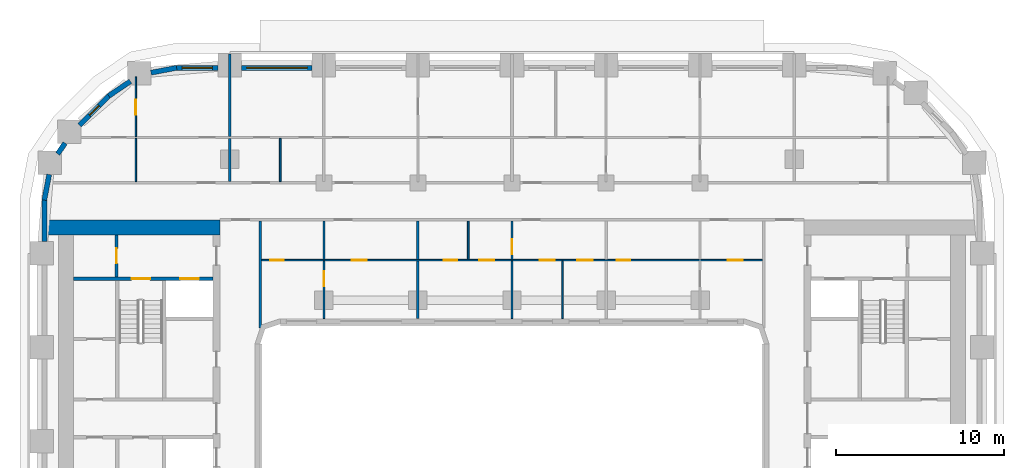
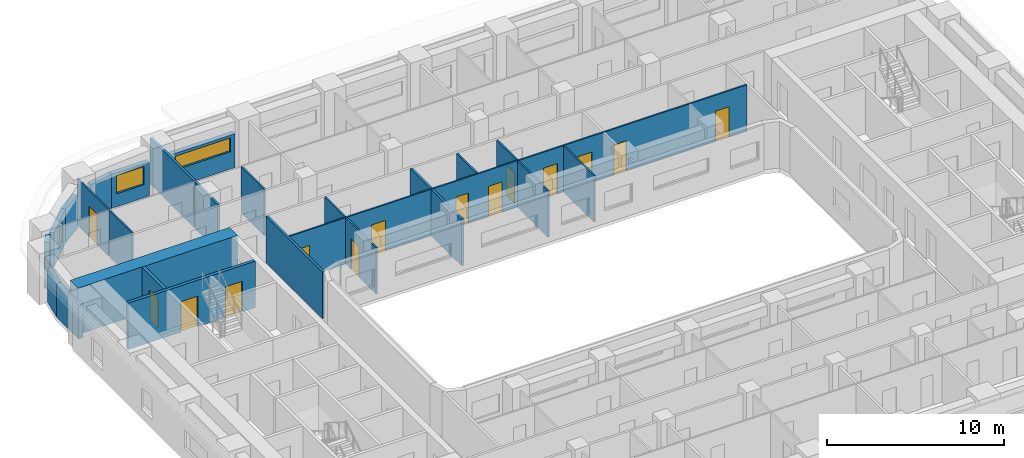
# One storey, part 7 of 22: 26 walls, 14 doors, 3 windows, 17 openings.
"""IFC4 building model written with IfcOpenShell, lengths in metres."""

from ifc_helpers import new_model, si_unit, direction, frame, frame_2d, origin, place, context, subcontext, project, spatial, rectangle, extrude, material, layer, layer_set, type_object, element, fill, save


model = new_model("IFC4")

# Units and contexts
model_context = context("Model", 3, precision=1e-05, world=origin(), true_north=direction((0.0, 1.0)))
body_context = subcontext(model_context, "Body", "Model", "MODEL_VIEW")
ifc_project = project(units=[si_unit("LENGTHUNIT", "METRE"), si_unit("AREAUNIT", "SQUARE_METRE"), si_unit("VOLUMEUNIT", "CUBIC_METRE"), si_unit("PLANEANGLEUNIT", "RADIAN"), si_unit("MASSUNIT", "GRAM", prefix="KILO")], contexts=[model_context])

# Site, building, storey
site_placement = place(None, origin())
site = spatial("IfcSite", under=ifc_project, at=site_placement, CompositionType="ELEMENT")
building_placement = place(site_placement, origin())
building = spatial("IfcBuilding", under=site, at=building_placement, Name="Kiln Ring Residences", CompositionType="ELEMENT")
storey_placement = place(building_placement, frame((0.0, 0.0, 58.5)))
storey = spatial("IfcBuildingStorey", under=building, at=storey_placement, Name="L14", CompositionType="ELEMENT", Elevation=58.5)

# Wall, opening, door
ifc_material_1 = material(Name="Gypsum board on steel studs", Category="steel")
ifc_layer_1 = layer(ifc_material_1, 0.199951171875)
ifc_layer_set_1 = layer_set([ifc_layer_1], Name="CORE-PARTITION-200")
wall_type_1 = type_object("IfcWallType", Name="CORE-PARTITION-200", PredefinedType="PARTITIONING", material=ifc_layer_set_1)
wall_1_placement = place(storey_placement, frame((-23.550048828125, 9.800048828125, 0.0), z_axis=(0.0, 0.0, 1.0), x_axis=(0.0, 1.0, 0.0)))
wall_1 = element("IfcWall", 1, at=wall_1_placement, inside=storey, type_object=wall_type_1, Name="Core partition west L14 3", PredefinedType="PARTITIONING", context=body_context, shape_type="SweptSolid", body=[
    extrude(rectangle(XDim=2.5, YDim=0.199951171875, at=frame_2d((1.25, 0.0))), origin(), (0.0, 0.0, 1.0), 3.199951171875),
])
opening_1_placement = place(wall_1_placement, frame((0.800048828125, 0.0, 0.0)))
opening_1 = element("IfcOpeningElement", 2, at=opening_1_placement, cuts=wall_1, Name="Opening L14-CW09", PredefinedType="OPENING", context=body_context, shape_type="SweptSolid", body=[
    extrude(rectangle(XDim=0.89990234375, YDim=2.10009765625, at=frame_2d((0.449951171875, 1.050048828125))), frame((0.0, 0.10986328125, 0.0), z_axis=(0.0, -1.0, 0.0), x_axis=(1.0, 0.0, 0.0)), (0.0, 0.0, 1.0), 0.219970703125),
])
ifc_material_2 = material(Name="Steel door leaf", Category="steel")
door_type_1 = type_object("IfcDoorType", Name="CORE-DOOR-ROOM", OperationType="SINGLE_SWING_LEFT", PredefinedType="DOOR", material=ifc_material_2)
door_1_placement = place(opening_1_placement, origin())
door_1 = element("IfcDoor", 3, at=door_1_placement, inside=storey, type_object=door_type_1, Name="Fire riser room L14-CW09", OperationType="SINGLE_SWING_LEFT", OverallHeight=2.10009765625, OverallWidth=0.89990234375, PredefinedType="DOOR", context=body_context, shape_type="SweptSolid", body=[
    extrude(rectangle(XDim=0.89990234375, YDim=2.10009765625, at=frame_2d((0.449951171875, 1.050048828125))), frame((0.0, 0.02490234375, 0.0), z_axis=(0.0, -1.0, 0.0), x_axis=(1.0, 0.0, 0.0)), (0.0, 0.0, 1.0), 0.050048828125),
])
fill(opening_1, door_1)

# Wall, openings, doors
ifc_material_3 = material(Name="Concrete C40/50", Category="concrete")
ifc_layer_2 = layer(ifc_material_3, 0.199951171875)
ifc_layer_set_2 = layer_set([ifc_layer_2], Name="CORE-WALL-RC200")
wall_type_2 = type_object("IfcWallType", Name="CORE-WALL-RC200", PredefinedType="SHEAR", material=ifc_layer_set_2)
wall_2_placement = place(storey_placement, frame((-17.800048828125, 9.699951171875, 0.0), z_axis=(0.0, 0.0, 1.0), x_axis=(-1.0, 0.0, 0.0)))
wall_2 = element("IfcWall", 4, at=wall_2_placement, inside=storey, type_object=wall_type_2, Name="Core wall west L14 9", PredefinedType="SHEAR", context=body_context, shape_type="SweptSolid", body=[
    extrude(rectangle(XDim=8.300048828125, YDim=0.199951171875, at=frame_2d((4.14990234375, 0.0))), origin(), (0.0, 0.0, 1.0), 3.199951171875),
])
opening_2_placement = place(wall_2_placement, frame((0.85009765625, 0.0, 0.0)))
opening_2 = element("IfcOpeningElement", 5, at=opening_2_placement, cuts=wall_2, Name="Opening L14-CW06", PredefinedType="OPENING", context=body_context, shape_type="SweptSolid", body=[
    extrude(rectangle(XDim=1.10009765625, YDim=2.10009765625, at=frame_2d((0.550048828125, 1.050048828125))), frame((0.0, 0.10986328125, 0.0), z_axis=(0.0, -1.0, 0.0), x_axis=(1.0, 0.0, 0.0)), (0.0, 0.0, 1.0), 0.219970703125),
])
opening_3_placement = place(wall_2_placement, frame((3.75, 0.0, 0.0)))
opening_3 = element("IfcOpeningElement", 6, at=opening_3_placement, cuts=wall_2, Name="Opening L14-CW11", PredefinedType="OPENING", context=body_context, shape_type="SweptSolid", body=[
    extrude(rectangle(XDim=1.10009765625, YDim=2.10009765625, at=frame_2d((0.550048828125, 1.050048828125))), frame((0.0, 0.10986328125, 0.0), z_axis=(0.0, -1.0, 0.0), x_axis=(1.0, 0.0, 0.0)), (0.0, 0.0, 1.0), 0.219970703125),
])
ifc_material_4 = material(Name="Steel door leaf", Category="steel")
door_type_2 = type_object("IfcDoorType", Name="CORE-DOOR-LD", OperationType="DOUBLE_DOOR_SLIDING", PredefinedType="DOOR", material=ifc_material_4)
door_2_placement = place(opening_2_placement, origin())
door_2 = element("IfcDoor", 7, at=door_2_placement, inside=storey, type_object=door_type_2, Name="LD W-FF L14-CW06", OperationType="DOUBLE_DOOR_SLIDING", OverallHeight=2.10009765625, OverallWidth=1.10009765625, PredefinedType="DOOR", context=body_context, shape_type="SweptSolid", body=[
    extrude(rectangle(XDim=1.10009765625, YDim=2.10009765625, at=frame_2d((0.550048828125, 1.050048828125))), frame((0.0, 0.02490234375, 0.0), z_axis=(0.0, -1.0, 0.0), x_axis=(1.0, 0.0, 0.0)), (0.0, 0.0, 1.0), 0.050048828125),
])
fill(opening_2, door_2)
ifc_material_5 = material(Name="Steel door leaf", Category="steel")
door_type_3 = type_object("IfcDoorType", Name="CORE-DOOR-STAIR", OperationType="SINGLE_SWING_LEFT", PredefinedType="DOOR", material=ifc_material_5)
door_3_placement = place(opening_3_placement, origin())
door_3 = element("IfcDoor", 8, at=door_3_placement, inside=storey, type_object=door_type_3, Name="Stair W-STN L14-CW11", OperationType="SINGLE_SWING_LEFT", OverallHeight=2.10009765625, OverallWidth=1.10009765625, PredefinedType="DOOR", context=body_context, shape_type="SweptSolid", body=[
    extrude(rectangle(XDim=1.10009765625, YDim=2.10009765625, at=frame_2d((0.550048828125, 1.050048828125))), frame((0.0, 0.02490234375, 0.0), z_axis=(0.0, -1.0, 0.0), x_axis=(1.0, 0.0, 0.0)), (0.0, 0.0, 1.0), 0.050048828125),
])
fill(opening_3, door_3)

# Wall
ifc_material_6 = material(Name="Concrete C60/75", Category="concrete")
ifc_layer_3 = layer(ifc_material_6, 0.89990234375)
ifc_layer_set_3 = layer_set([ifc_layer_3], Name="CORE-WALL-RC900")
wall_type_3 = type_object("IfcWallType", Name="CORE-WALL-RC900", PredefinedType="SHEAR", material=ifc_layer_set_3)
wall_3_placement = place(storey_placement, frame((-17.39990234375, 12.75, 0.0), z_axis=(0.0, 0.0, 1.0), x_axis=(-1.0, 0.0, 0.0)))
element("IfcWall", 9, at=wall_3_placement, inside=storey, type_object=wall_type_3, Name="Core wall west L14 4", PredefinedType="SHEAR", context=body_context, shape_type="SweptSolid", body=[
    extrude(rectangle(XDim=10.400146484375, YDim=0.89990234375, at=frame_2d((5.2001953125, 0.0))), origin(), (0.0, 0.0, 1.0), 3.199951171875),
])

# Wall, opening, window
ifc_material_7 = material(Name="Brick masonry, dark clay brick", Category="masonry")
ifc_layer_4 = layer(ifc_material_7, 0.300048828125)
ifc_layer_set_4 = layer_set([ifc_layer_4], Name="EW-300 BRICK WALL")
wall_type_4 = type_object("IfcWallType", Name="EW-300 BRICK WALL", PredefinedType="SOLIDWALL", material=ifc_layer_set_4)
wall_4_placement = place(storey_placement, frame((-11.89990234375, 22.25, 0.0), z_axis=(0.0, 0.0, 1.0), x_axis=(-1.0, 0.0, 0.0)))
wall_4 = element("IfcWall", 10, at=wall_4_placement, inside=storey, type_object=wall_type_4, Name="Facade wall L14 34", PredefinedType="SOLIDWALL", context=body_context, shape_type="SweptSolid", body=[
    extrude(rectangle(XDim=4.2001953125, YDim=0.300048828125, at=frame_2d((2.10009765625, 0.0))), origin(), (0.0, 0.0, 1.0), 2.35009765625),
])
opening_4_placement = place(wall_4_placement, frame((0.300048828125, 0.0, 1.199951171875)))
opening_4 = element("IfcOpeningElement", 11, at=opening_4_placement, cuts=wall_4, Name="Opening W4", PredefinedType="OPENING", context=body_context, shape_type="SweptSolid", body=[
    extrude(rectangle(XDim=3.60009765625, YDim=0.949951171875, at=frame_2d((1.800048828125, 0.47509765625))), frame((0.0, 0.159912109375, 0.0), z_axis=(0.0, -1.0, 0.0), x_axis=(1.0, 0.0, 0.0)), (0.0, 0.0, 1.0), 0.320068359375),
])
ifc_material_8 = material(Name="Aluminium frame with double glazing", Category="aluminium")
window_type_1 = type_object("IfcWindowType", Name="WINDOW 3600 x 950", PartitioningType="SINGLE_PANEL", PredefinedType="WINDOW", material=ifc_material_8)
window_1_placement = place(opening_4_placement, origin())
window_1 = element("IfcWindow", 12, at=window_1_placement, inside=storey, type_object=window_type_1, Name="Window L14 20", OverallHeight=0.949951171875, OverallWidth=3.60009765625, PartitioningType="SINGLE_PANEL", PredefinedType="WINDOW", context=body_context, shape_type="SweptSolid", body=[
    extrude(rectangle(XDim=3.60009765625, YDim=0.949951171875, at=frame_2d((1.800048828125, 0.47509765625))), frame((0.0, 0.030029296875, 0.0), z_axis=(0.0, -1.0, 0.0), x_axis=(1.0, 0.0, 0.0)), (0.0, 0.0, 1.0), 0.06005859375),
])
fill(opening_4, window_1)

wall_5_placement = place(storey_placement, frame((-17.5, 22.25, 0.0), z_axis=(0.0, 0.0, 1.0), x_axis=(-1.0, 0.0, 0.0)))
wall_5 = element("IfcWall", 13, at=wall_5_placement, inside=storey, type_object=wall_type_4, Name="Facade wall L14 35", PredefinedType="SOLIDWALL", context=body_context, shape_type="SweptSolid", body=[
    extrude(rectangle(XDim=2.5, YDim=0.300048828125, at=frame_2d((1.25, 0.0))), origin(), (0.0, 0.0, 1.0), 2.35009765625),
])
opening_5_placement = place(wall_5_placement, frame((0.35009765625, 0.0, 0.89990234375)))
opening_5 = element("IfcOpeningElement", 14, at=opening_5_placement, cuts=wall_5, Name="Opening W2", PredefinedType="OPENING", context=body_context, shape_type="SweptSolid", body=[
    extrude(rectangle(XDim=1.800048828125, YDim=1.25, at=frame_2d((0.89990234375, 0.625))), frame((0.0, 0.159912109375, 0.0), z_axis=(0.0, -1.0, 0.0), x_axis=(1.0, 0.0, 0.0)), (0.0, 0.0, 1.0), 0.320068359375),
])
ifc_material_9 = material(Name="Aluminium frame with double glazing", Category="aluminium")
window_type_2 = type_object("IfcWindowType", Name="WINDOW 1800 x 1250", PartitioningType="SINGLE_PANEL", PredefinedType="WINDOW", material=ifc_material_9)
window_2_placement = place(opening_5_placement, origin())
window_2 = element("IfcWindow", 15, at=window_2_placement, inside=storey, type_object=window_type_2, Name="Window L14 21", OverallHeight=1.25, OverallWidth=1.800048828125, PartitioningType="SINGLE_PANEL", PredefinedType="WINDOW", context=body_context, shape_type="SweptSolid", body=[
    extrude(rectangle(XDim=1.800048828125, YDim=1.25, at=frame_2d((0.89990234375, 0.625))), frame((0.0, 0.030029296875, 0.0), z_axis=(0.0, -1.0, 0.0), x_axis=(1.0, 0.0, 0.0)), (0.0, 0.0, 1.0), 0.06005859375),
])
fill(opening_5, window_2)

# Walls
wall_6_placement = place(storey_placement, frame((-19.971923828125, 22.252685546875, 0.0), z_axis=(0.0, 0.0, 1.0), x_axis=(-0.982297345734, -0.187328386968, 0.0)))
element("IfcWall", 16, at=wall_6_placement, inside=storey, type_object=wall_type_4, Name="Facade wall L14 36", PredefinedType="SOLIDWALL", context=body_context, shape_type="SweptSolid", body=[
    extrude(rectangle(XDim=1.55615234375, YDim=0.300048828125, at=frame_2d((0.778076171875, 0.0))), origin(), (0.0, 0.0, 1.0), 2.35009765625),
])
wall_7_placement = place(storey_placement, frame((-22.725830078125, 21.45361328125, 0.0), z_axis=(0.0, 0.0, 1.0), x_axis=(-0.827019875346, -0.562172683241, 0.0)))
element("IfcWall", 17, at=wall_7_placement, inside=storey, type_object=wall_type_4, Name="Facade wall L14 37", PredefinedType="SOLIDWALL", context=body_context, shape_type="SweptSolid", body=[
    extrude(rectangle(XDim=1.555908203125, YDim=0.300048828125, at=frame_2d((0.77783203125, 0.0))), origin(), (0.0, 0.0, 1.0), 2.35009765625),
])

# Wall, opening, window
wall_8_placement = place(storey_placement, frame((-23.990966796875, 20.596923828125, 0.0), z_axis=(0.0, 0.0, 1.0), x_axis=(-0.707106781187, -0.707106781187, 0.0)))
wall_8 = element("IfcWall", 18, at=wall_8_placement, inside=storey, type_object=wall_type_4, Name="Facade wall L14 38", PredefinedType="SOLIDWALL", context=body_context, shape_type="SweptSolid", body=[
    extrude(rectangle(XDim=2.5, YDim=0.300048828125, at=frame_2d((1.25, 0.0))), origin(), (0.0, 0.0, 1.0), 2.35009765625),
])
opening_6_placement = place(wall_8_placement, frame((0.85009765625, 0.0, 0.60009765625)))
opening_6 = element("IfcOpeningElement", 19, at=opening_6_placement, cuts=wall_8, Name="Opening W5", PredefinedType="OPENING", context=body_context, shape_type="SweptSolid", body=[
    extrude(rectangle(XDim=0.800048828125, YDim=1.550048828125, at=frame_2d((0.39990234375, 0.77490234375))), frame((0.0, 0.159912109375, 0.0), z_axis=(0.0, -1.0, 0.0), x_axis=(1.0, 0.0, 0.0)), (0.0, 0.0, 1.0), 0.320068359375),
])
ifc_material_10 = material(Name="Aluminium frame with double glazing", Category="aluminium")
window_type_3 = type_object("IfcWindowType", Name="WINDOW 800 x 1550", PartitioningType="SINGLE_PANEL", PredefinedType="WINDOW", material=ifc_material_10)
window_3_placement = place(opening_6_placement, origin())
window_3 = element("IfcWindow", 20, at=window_3_placement, inside=storey, type_object=window_type_3, Name="Window L14 22", OverallHeight=1.550048828125, OverallWidth=0.800048828125, PartitioningType="SINGLE_PANEL", PredefinedType="WINDOW", context=body_context, shape_type="SweptSolid", body=[
    extrude(rectangle(XDim=0.800048828125, YDim=1.550048828125, at=frame_2d((0.39990234375, 0.77490234375))), frame((0.0, 0.030029296875, 0.0), z_axis=(0.0, -1.0, 0.0), x_axis=(1.0, 0.0, 0.0)), (0.0, 0.0, 1.0), 0.06005859375),
])
fill(opening_6, window_3)

# Walls
wall_9_placement = place(storey_placement, frame((-26.61669921875, 17.7685546875, 0.0), z_axis=(0.0, 0.0, 1.0), x_axis=(-0.562000651531, -0.827136788977, 0.0)))
element("IfcWall", 21, at=wall_9_placement, inside=storey, type_object=wall_type_4, Name="Facade wall L14 39", PredefinedType="SOLIDWALL", context=body_context, shape_type="SweptSolid", body=[
    extrude(rectangle(XDim=0.777099609375, YDim=0.300048828125, at=frame_2d((0.388671875, 0.0))), origin(), (0.0, 0.0, 1.0), 3.199951171875),
])
wall_10_placement = place(storey_placement, frame((-27.56103515625, 15.900390625, 0.0), z_axis=(0.0, 0.0, 1.0), x_axis=(-0.187328386968, -0.982297345734, 0.0)))
element("IfcWall", 22, at=wall_10_placement, inside=storey, type_object=wall_type_4, Name="Facade wall L14 40", PredefinedType="SOLIDWALL", context=body_context, shape_type="SweptSolid", body=[
    extrude(rectangle(XDim=1.55615234375, YDim=0.300048828125, at=frame_2d((0.778076171875, 0.0))), origin(), (0.0, 0.0, 1.0), 2.35009765625),
])
wall_11_placement = place(storey_placement, frame((-27.85009765625, 14.39990234375, 0.0), z_axis=(0.0, 0.0, 1.0), x_axis=(0.0, -1.0, 0.0)))
element("IfcWall", 23, at=wall_11_placement, inside=storey, type_object=wall_type_4, Name="Facade wall L14 41", PredefinedType="SOLIDWALL", context=body_context, shape_type="SweptSolid", body=[
    extrude(rectangle(XDim=2.5, YDim=0.300048828125, at=frame_2d((1.25, 0.0))), origin(), (0.0, 0.0, 1.0), 2.35009765625),
])

# Wall, openings, doors
ifc_material_11 = material(Name="Gypsum board on steel studs", Category="steel")
ifc_layer_5 = layer(ifc_material_11, 0.10009765625)
ifc_layer_set_5 = layer_set([ifc_layer_5], Name="PARTITION-100")
wall_type_5 = type_object("IfcWallType", Name="PARTITION-100", PredefinedType="PARTITIONING", material=ifc_layer_set_5)
wall_12_placement = place(storey_placement, frame((-14.925048828125, 10.800048828125, 0.0), z_axis=(0.0, 0.0, 1.0), x_axis=(1.0, 0.0, 0.0)))
wall_12 = element("IfcWall", 24, at=wall_12_placement, inside=storey, type_object=wall_type_5, Name="Partition 004", PredefinedType="PARTITIONING", context=body_context, shape_type="SweptSolid", body=[
    extrude(rectangle(XDim=29.85009765625, YDim=0.10009765625, at=frame_2d((14.925048828125, 0.0))), origin(), (0.0, 0.0, 1.0), 3.199951171875),
])
opening_7_placement = place(wall_12_placement, frame((0.52490234375, 0.0, 0.0)))
opening_7 = element("IfcOpeningElement", 25, at=opening_7_placement, cuts=wall_12, Name="Opening L14-D006", PredefinedType="OPENING", context=body_context, shape_type="SweptSolid", body=[
    extrude(rectangle(XDim=0.800048828125, YDim=2.10009765625, at=frame_2d((0.39990234375, 1.050048828125))), frame((0.0, 0.06005859375, 0.0), z_axis=(0.0, -1.0, 0.0), x_axis=(1.0, 0.0, 0.0)), (0.0, 0.0, 1.0), 0.1201171875),
])
opening_8_placement = place(wall_12_placement, frame((5.375, 0.0, 0.0)))
opening_8 = element("IfcOpeningElement", 26, at=opening_8_placement, cuts=wall_12, Name="Opening L14-D007", PredefinedType="OPENING", context=body_context, shape_type="SweptSolid", body=[
    extrude(rectangle(XDim=0.89990234375, YDim=2.10009765625, at=frame_2d((0.449951171875, 1.050048828125))), frame((0.0, 0.06005859375, 0.0), z_axis=(0.0, -1.0, 0.0), x_axis=(1.0, 0.0, 0.0)), (0.0, 0.0, 1.0), 0.1201171875),
])
opening_9_placement = place(wall_12_placement, frame((10.875, 0.0, 0.0)))
opening_9 = element("IfcOpeningElement", 27, at=opening_9_placement, cuts=wall_12, Name="Opening L14-D011", PredefinedType="OPENING", context=body_context, shape_type="SweptSolid", body=[
    extrude(rectangle(XDim=0.800048828125, YDim=2.10009765625, at=frame_2d((0.39990234375, 1.050048828125))), frame((0.0, 0.06005859375, 0.0), z_axis=(0.0, -1.0, 0.0), x_axis=(1.0, 0.0, 0.0)), (0.0, 0.0, 1.0), 0.1201171875),
])
opening_10_placement = place(wall_12_placement, frame((12.97509765625, 0.0, 0.0)))
opening_10 = element("IfcOpeningElement", 28, at=opening_10_placement, cuts=wall_12, Name="Opening L14-D012", PredefinedType="OPENING", context=body_context, shape_type="SweptSolid", body=[
    extrude(rectangle(XDim=0.89990234375, YDim=2.10009765625, at=frame_2d((0.449951171875, 1.050048828125))), frame((0.0, 0.06005859375, 0.0), z_axis=(0.0, -1.0, 0.0), x_axis=(1.0, 0.0, 0.0)), (0.0, 0.0, 1.0), 0.1201171875),
])
opening_11_placement = place(wall_12_placement, frame((16.574951171875, 0.0, 0.0)))
opening_11 = element("IfcOpeningElement", 29, at=opening_11_placement, cuts=wall_12, Name="Opening L14-D013", PredefinedType="OPENING", context=body_context, shape_type="SweptSolid", body=[
    extrude(rectangle(XDim=0.89990234375, YDim=2.10009765625, at=frame_2d((0.449951171875, 1.050048828125))), frame((0.0, 0.06005859375, 0.0), z_axis=(0.0, -1.0, 0.0), x_axis=(1.0, 0.0, 0.0)), (0.0, 0.0, 1.0), 0.1201171875),
])
opening_12_placement = place(wall_12_placement, frame((18.824951171875, 0.0, 0.0)))
opening_12 = element("IfcOpeningElement", 30, at=opening_12_placement, cuts=wall_12, Name="Opening L14-D014", PredefinedType="OPENING", context=body_context, shape_type="SweptSolid", body=[
    extrude(rectangle(XDim=0.89990234375, YDim=2.10009765625, at=frame_2d((0.449951171875, 1.050048828125))), frame((0.0, 0.06005859375, 0.0), z_axis=(0.0, -1.0, 0.0), x_axis=(1.0, 0.0, 0.0)), (0.0, 0.0, 1.0), 0.1201171875),
])
opening_13_placement = place(wall_12_placement, frame((21.175048828125, 0.0, 0.0)))
opening_13 = element("IfcOpeningElement", 31, at=opening_13_placement, cuts=wall_12, Name="Opening L14-D016", PredefinedType="OPENING", context=body_context, shape_type="SweptSolid", body=[
    extrude(rectangle(XDim=0.800048828125, YDim=2.10009765625, at=frame_2d((0.39990234375, 1.050048828125))), frame((0.0, 0.06005859375, 0.0), z_axis=(0.0, -1.0, 0.0), x_axis=(1.0, 0.0, 0.0)), (0.0, 0.0, 1.0), 0.1201171875),
])
opening_14_placement = place(wall_12_placement, frame((27.77490234375, 0.0, 0.0)))
opening_14 = element("IfcOpeningElement", 32, at=opening_14_placement, cuts=wall_12, Name="Opening L14-D017", PredefinedType="OPENING", context=body_context, shape_type="SweptSolid", body=[
    extrude(rectangle(XDim=0.89990234375, YDim=2.10009765625, at=frame_2d((0.449951171875, 1.050048828125))), frame((0.0, 0.06005859375, 0.0), z_axis=(0.0, -1.0, 0.0), x_axis=(1.0, 0.0, 0.0)), (0.0, 0.0, 1.0), 0.1201171875),
])
ifc_material_12 = material(Name="Timber door leaf", Category="wood")
door_type_4 = type_object("IfcDoorType", Name="FLAT-DOOR-800-PL", OperationType="SINGLE_SWING_LEFT", PredefinedType="DOOR", material=ifc_material_12)
door_4_placement = place(opening_7_placement, origin())
door_4 = element("IfcDoor", 33, at=door_4_placement, inside=storey, type_object=door_type_4, Name="Door L14-D006", OperationType="SINGLE_SWING_RIGHT", OverallHeight=2.10009765625, OverallWidth=0.800048828125, PredefinedType="DOOR", context=body_context, shape_type="SweptSolid", body=[
    extrude(rectangle(XDim=0.800048828125, YDim=2.10009765625, at=frame_2d((0.39990234375, 1.050048828125))), frame((0.0, 0.02490234375, 0.0), z_axis=(0.0, -1.0, 0.0), x_axis=(1.0, 0.0, 0.0)), (0.0, 0.0, 1.0), 0.050048828125),
])
fill(opening_7, door_4)
door_5_placement = place(opening_9_placement, origin())
door_5 = element("IfcDoor", 34, at=door_5_placement, inside=storey, type_object=door_type_4, Name="Door L14-D011", OperationType="SINGLE_SWING_LEFT", OverallHeight=2.10009765625, OverallWidth=0.800048828125, PredefinedType="DOOR", context=body_context, shape_type="SweptSolid", body=[
    extrude(rectangle(XDim=0.800048828125, YDim=2.10009765625, at=frame_2d((0.39990234375, 1.050048828125))), frame((0.0, 0.02490234375, 0.0), z_axis=(0.0, -1.0, 0.0), x_axis=(1.0, 0.0, 0.0)), (0.0, 0.0, 1.0), 0.050048828125),
])
fill(opening_9, door_5)
door_6_placement = place(opening_13_placement, origin())
door_6 = element("IfcDoor", 35, at=door_6_placement, inside=storey, type_object=door_type_4, Name="Door L14-D016", OperationType="SINGLE_SWING_RIGHT", OverallHeight=2.10009765625, OverallWidth=0.800048828125, PredefinedType="DOOR", context=body_context, shape_type="SweptSolid", body=[
    extrude(rectangle(XDim=0.800048828125, YDim=2.10009765625, at=frame_2d((0.39990234375, 1.050048828125))), frame((0.0, 0.02490234375, 0.0), z_axis=(0.0, -1.0, 0.0), x_axis=(1.0, 0.0, 0.0)), (0.0, 0.0, 1.0), 0.050048828125),
])
fill(opening_13, door_6)
ifc_material_13 = material(Name="Timber door leaf", Category="wood")
door_type_5 = type_object("IfcDoorType", Name="FLAT-DOOR-900-PL", OperationType="SINGLE_SWING_LEFT", PredefinedType="DOOR", material=ifc_material_13)
door_7_placement = place(opening_8_placement, origin())
door_7 = element("IfcDoor", 36, at=door_7_placement, inside=storey, type_object=door_type_5, Name="Door L14-D007", OperationType="SINGLE_SWING_LEFT", OverallHeight=2.10009765625, OverallWidth=0.89990234375, PredefinedType="DOOR", context=body_context, shape_type="SweptSolid", body=[
    extrude(rectangle(XDim=0.89990234375, YDim=2.10009765625, at=frame_2d((0.449951171875, 1.050048828125))), frame((0.0, 0.02490234375, 0.0), z_axis=(0.0, -1.0, 0.0), x_axis=(1.0, 0.0, 0.0)), (0.0, 0.0, 1.0), 0.050048828125),
])
fill(opening_8, door_7)
door_8_placement = place(opening_10_placement, origin())
door_8 = element("IfcDoor", 37, at=door_8_placement, inside=storey, type_object=door_type_5, Name="Door L14-D012", OperationType="SINGLE_SWING_LEFT", OverallHeight=2.10009765625, OverallWidth=0.89990234375, PredefinedType="DOOR", context=body_context, shape_type="SweptSolid", body=[
    extrude(rectangle(XDim=0.89990234375, YDim=2.10009765625, at=frame_2d((0.449951171875, 1.050048828125))), frame((0.0, 0.02490234375, 0.0), z_axis=(0.0, -1.0, 0.0), x_axis=(1.0, 0.0, 0.0)), (0.0, 0.0, 1.0), 0.050048828125),
])
fill(opening_10, door_8)
door_9_placement = place(opening_11_placement, origin())
door_9 = element("IfcDoor", 38, at=door_9_placement, inside=storey, type_object=door_type_5, Name="Door L14-D013", OperationType="SINGLE_SWING_RIGHT", OverallHeight=2.10009765625, OverallWidth=0.89990234375, PredefinedType="DOOR", context=body_context, shape_type="SweptSolid", body=[
    extrude(rectangle(XDim=0.89990234375, YDim=2.10009765625, at=frame_2d((0.449951171875, 1.050048828125))), frame((0.0, 0.02490234375, 0.0), z_axis=(0.0, -1.0, 0.0), x_axis=(1.0, 0.0, 0.0)), (0.0, 0.0, 1.0), 0.050048828125),
])
fill(opening_11, door_9)
door_10_placement = place(opening_12_placement, origin())
door_10 = element("IfcDoor", 39, at=door_10_placement, inside=storey, type_object=door_type_5, Name="Door L14-D014", OperationType="SINGLE_SWING_RIGHT", OverallHeight=2.10009765625, OverallWidth=0.89990234375, PredefinedType="DOOR", context=body_context, shape_type="SweptSolid", body=[
    extrude(rectangle(XDim=0.89990234375, YDim=2.10009765625, at=frame_2d((0.449951171875, 1.050048828125))), frame((0.0, 0.02490234375, 0.0), z_axis=(0.0, -1.0, 0.0), x_axis=(1.0, 0.0, 0.0)), (0.0, 0.0, 1.0), 0.050048828125),
])
fill(opening_12, door_10)
door_11_placement = place(opening_14_placement, origin())
door_11 = element("IfcDoor", 40, at=door_11_placement, inside=storey, type_object=door_type_5, Name="Door L14-D017", OperationType="SINGLE_SWING_RIGHT", OverallHeight=2.10009765625, OverallWidth=0.89990234375, PredefinedType="DOOR", context=body_context, shape_type="SweptSolid", body=[
    extrude(rectangle(XDim=0.89990234375, YDim=2.10009765625, at=frame_2d((0.449951171875, 1.050048828125))), frame((0.0, 0.02490234375, 0.0), z_axis=(0.0, -1.0, 0.0), x_axis=(1.0, 0.0, 0.0)), (0.0, 0.0, 1.0), 0.050048828125),
])
fill(opening_14, door_11)

# Wall
wall_13_placement = place(storey_placement, frame((-22.39990234375, 15.47509765625, 0.0), z_axis=(0.0, 0.0, 1.0), x_axis=(0.0, 1.0, 0.0)))
element("IfcWall", 41, at=wall_13_placement, inside=storey, type_object=wall_type_5, Name="Partition 010", PredefinedType="PARTITIONING", context=body_context, shape_type="SweptSolid", body=[
    extrude(rectangle(XDim=2.574951171875, YDim=0.10009765625, at=frame_2d((1.28759765625, 0.0))), origin(), (0.0, 0.0, 1.0), 3.199951171875),
])

# Wall, opening, door
wall_14_placement = place(storey_placement, frame((-22.39990234375, 18.14990234375, 0.0), z_axis=(0.0, 0.0, 1.0), x_axis=(0.0, 1.0, 0.0)))
wall_14 = element("IfcWall", 42, at=wall_14_placement, inside=storey, type_object=wall_type_5, Name="Partition 011", PredefinedType="PARTITIONING", context=body_context, shape_type="SweptSolid", body=[
    extrude(rectangle(XDim=3.570068359375, YDim=0.10009765625, at=frame_2d((1.78515625, 0.0))), origin(), (0.0, 0.0, 1.0), 3.199951171875),
])
opening_15_placement = place(wall_14_placement, frame((1.298095703125, 0.0, 0.0)))
opening_15 = element("IfcOpeningElement", 43, at=opening_15_placement, cuts=wall_14, Name="Opening L14-D022", PredefinedType="OPENING", context=body_context, shape_type="SweptSolid", body=[
    extrude(rectangle(XDim=0.89990234375, YDim=2.10009765625, at=frame_2d((0.449951171875, 1.050048828125))), frame((0.0, 0.06005859375, 0.0), z_axis=(0.0, -1.0, 0.0), x_axis=(1.0, 0.0, 0.0)), (0.0, 0.0, 1.0), 0.1201171875),
])
door_12_placement = place(opening_15_placement, origin())
door_12 = element("IfcDoor", 44, at=door_12_placement, inside=storey, type_object=door_type_5, Name="Door L14-D022", OperationType="SINGLE_SWING_RIGHT", OverallHeight=2.10009765625, OverallWidth=0.89990234375, PredefinedType="DOOR", context=body_context, shape_type="SweptSolid", body=[
    extrude(rectangle(XDim=0.89990234375, YDim=2.10009765625, at=frame_2d((0.449951171875, 1.050048828125))), frame((0.0, 0.02490234375, 0.0), z_axis=(0.0, -1.0, 0.0), x_axis=(1.0, 0.0, 0.0)), (0.0, 0.0, 1.0), 0.050048828125),
])
fill(opening_15, door_12)

# Wall
wall_15_placement = place(storey_placement, frame((-13.800048828125, 15.47509765625, 0.0), z_axis=(0.0, 0.0, 1.0), x_axis=(0.0, 1.0, 0.0)))
element("IfcWall", 45, at=wall_15_placement, inside=storey, type_object=wall_type_5, Name="Partition 019", PredefinedType="PARTITIONING", context=body_context, shape_type="SweptSolid", body=[
    extrude(rectangle(XDim=2.574951171875, YDim=0.10009765625, at=frame_2d((1.28759765625, 0.0))), origin(), (0.0, 0.0, 1.0), 3.199951171875),
])

# Wall, opening, door
wall_16_placement = place(storey_placement, frame((-11.199951171875, 7.320068359375, 0.0), z_axis=(0.0, 0.0, 1.0), x_axis=(0.0, 1.0, 0.0)))
wall_16 = element("IfcWall", 46, at=wall_16_placement, inside=storey, type_object=wall_type_5, Name="Partition 024", PredefinedType="PARTITIONING", context=body_context, shape_type="SweptSolid", body=[
    extrude(rectangle(XDim=3.429931640625, YDim=0.10009765625, at=frame_2d((1.71484375, 0.0))), origin(), (0.0, 0.0, 1.0), 3.199951171875),
])
opening_16_placement = place(wall_16_placement, frame((1.929931640625, 0.0, 0.0)))
opening_16 = element("IfcOpeningElement", 47, at=opening_16_placement, cuts=wall_16, Name="Opening L14-D008", PredefinedType="OPENING", context=body_context, shape_type="SweptSolid", body=[
    extrude(rectangle(XDim=0.89990234375, YDim=2.10009765625, at=frame_2d((0.449951171875, 1.050048828125))), frame((0.0, 0.06005859375, 0.0), z_axis=(0.0, -1.0, 0.0), x_axis=(1.0, 0.0, 0.0)), (0.0, 0.0, 1.0), 0.1201171875),
])
door_13_placement = place(opening_16_placement, origin())
door_13 = element("IfcDoor", 48, at=door_13_placement, inside=storey, type_object=door_type_5, Name="Door L14-D008", OperationType="SINGLE_SWING_LEFT", OverallHeight=2.10009765625, OverallWidth=0.89990234375, PredefinedType="DOOR", context=body_context, shape_type="SweptSolid", body=[
    extrude(rectangle(XDim=0.89990234375, YDim=2.10009765625, at=frame_2d((0.449951171875, 1.050048828125))), frame((0.0, 0.02490234375, 0.0), z_axis=(0.0, -1.0, 0.0), x_axis=(1.0, 0.0, 0.0)), (0.0, 0.0, 1.0), 0.050048828125),
])
fill(opening_16, door_13)

# Walls
for number, where, z_axis, x_axis, name in (
    (49, (-11.199951171875, 10.85009765625, 0.0), (0.0, 0.0, 1.0), (0.0, 1.0, 0.0), "Partition 025"),
    (50, (-2.60009765625, 10.85009765625, 0.0), (0.0, 0.0, 1.0), (0.0, 1.0, 0.0), "Partition 037"),
):
    element("IfcWall", number, at=place(storey_placement, frame(where, z_axis=z_axis, x_axis=x_axis)), inside=storey, type_object=wall_type_5, Name=name, PredefinedType="PARTITIONING", context=body_context, shape_type="SweptSolid", body=[
        extrude(rectangle(XDim=2.27490234375, YDim=0.10009765625, at=frame_2d((1.137451171875, 0.0))), origin(), (0.0, 0.0, 1.0), 3.199951171875),
    ])
wall_17_placement = place(storey_placement, frame((0.0, 7.320068359375, 0.0), z_axis=(0.0, 0.0, 1.0), x_axis=(0.0, 1.0, 0.0)))
element("IfcWall", 51, at=wall_17_placement, inside=storey, type_object=wall_type_5, Name="Partition 042", PredefinedType="PARTITIONING", context=body_context, shape_type="SweptSolid", body=[
    extrude(rectangle(XDim=3.429931640625, YDim=0.10009765625, at=frame_2d((1.71484375, 0.0))), origin(), (0.0, 0.0, 1.0), 3.199951171875),
])

# Wall, opening, door
wall_18_placement = place(storey_placement, frame((0.0, 10.85009765625, 0.0), z_axis=(0.0, 0.0, 1.0), x_axis=(0.0, 1.0, 0.0)))
wall_18 = element("IfcWall", 52, at=wall_18_placement, inside=storey, type_object=wall_type_5, Name="Partition 043", PredefinedType="PARTITIONING", context=body_context, shape_type="SweptSolid", body=[
    extrude(rectangle(XDim=2.27490234375, YDim=0.10009765625, at=frame_2d((1.137451171875, 0.0))), origin(), (0.0, 0.0, 1.0), 3.199951171875),
])
opening_17_placement = place(wall_18_placement, frame((0.299072265625, 0.0, 0.0)))
opening_17 = element("IfcOpeningElement", 53, at=opening_17_placement, cuts=wall_18, Name="Opening L14-D010", PredefinedType="OPENING", context=body_context, shape_type="SweptSolid", body=[
    extrude(rectangle(XDim=0.89990234375, YDim=2.10009765625, at=frame_2d((0.449951171875, 1.050048828125))), frame((0.0, 0.06005859375, 0.0), z_axis=(0.0, -1.0, 0.0), x_axis=(1.0, 0.0, 0.0)), (0.0, 0.0, 1.0), 0.1201171875),
])
door_14_placement = place(opening_17_placement, origin())
door_14 = element("IfcDoor", 54, at=door_14_placement, inside=storey, type_object=door_type_5, Name="Door L14-D010", OperationType="SINGLE_SWING_RIGHT", OverallHeight=2.10009765625, OverallWidth=0.89990234375, PredefinedType="DOOR", context=body_context, shape_type="SweptSolid", body=[
    extrude(rectangle(XDim=0.89990234375, YDim=2.10009765625, at=frame_2d((0.449951171875, 1.050048828125))), frame((0.0, 0.02490234375, 0.0), z_axis=(0.0, -1.0, 0.0), x_axis=(1.0, 0.0, 0.0)), (0.0, 0.0, 1.0), 0.050048828125),
])
fill(opening_17, door_14)

# Walls
wall_19_placement = place(storey_placement, frame((3.0, 7.320068359375, 0.0), z_axis=(0.0, 0.0, 1.0), x_axis=(0.0, 1.0, 0.0)))
element("IfcWall", 55, at=wall_19_placement, inside=storey, type_object=wall_type_5, Name="Partition 047", PredefinedType="PARTITIONING", context=body_context, shape_type="SweptSolid", body=[
    extrude(rectangle(XDim=3.429931640625, YDim=0.10009765625, at=frame_2d((1.71484375, 0.0))), origin(), (0.0, 0.0, 1.0), 3.199951171875),
])
ifc_material_14 = material(Name="Brick masonry partition", Category="masonry")
ifc_layer_6 = layer(ifc_material_14, 0.14990234375)
ifc_layer_set_6 = layer_set([ifc_layer_6], Name="PARTITION-150-ei60")
wall_type_6 = type_object("IfcWallType", Name="PARTITION-150-ei60", PredefinedType="PARTITIONING", material=ifc_layer_set_6)
wall_20_placement = place(storey_placement, frame((-16.800048828125, 15.47509765625, 0.0), z_axis=(0.0, 0.0, 1.0), x_axis=(0.0, 1.0, 0.0)))
element("IfcWall", 56, at=wall_20_placement, inside=storey, type_object=wall_type_6, Name="Partition 014", PredefinedType="PARTITIONING", context=body_context, shape_type="SweptSolid", body=[
    extrude(rectangle(XDim=2.574951171875, YDim=0.14990234375, at=frame_2d((1.28759765625, 0.0))), origin(), (0.0, 0.0, 1.0), 3.199951171875),
])
wall_21_placement = place(storey_placement, frame((-16.800048828125, 18.14990234375, 0.0), z_axis=(0.0, 0.0, 1.0), x_axis=(0.0, 1.0, 0.0)))
element("IfcWall", 57, at=wall_21_placement, inside=storey, type_object=wall_type_6, Name="Partition 015", PredefinedType="PARTITIONING", context=body_context, shape_type="SweptSolid", body=[
    extrude(rectangle(XDim=4.93017578125, YDim=0.14990234375, at=frame_2d((2.465087890625, 0.0))), origin(), (0.0, 0.0, 1.0), 3.199951171875),
])
wall_22_placement = place(storey_placement, frame((-15.0, 6.768798828125, 0.0), z_axis=(0.0, 0.0, 1.0), x_axis=(0.0, 1.0, 0.0)))
element("IfcWall", 58, at=wall_22_placement, inside=storey, type_object=wall_type_6, Name="Partition 017", PredefinedType="PARTITIONING", context=body_context, shape_type="SweptSolid", body=[
    extrude(rectangle(XDim=6.356201171875, YDim=0.14990234375, at=frame_2d((3.17822265625, 0.0))), origin(), (0.0, 0.0, 1.0), 3.199951171875),
])
wall_23_placement = place(storey_placement, frame((-5.60009765625, 7.320068359375, 0.0), z_axis=(0.0, 0.0, 1.0), x_axis=(0.0, 1.0, 0.0)))
element("IfcWall", 59, at=wall_23_placement, inside=storey, type_object=wall_type_6, Name="Partition 035", PredefinedType="PARTITIONING", context=body_context, shape_type="SweptSolid", body=[
    extrude(rectangle(XDim=3.429931640625, YDim=0.14990234375, at=frame_2d((1.71484375, 0.0))), origin(), (0.0, 0.0, 1.0), 3.199951171875),
])
wall_24_placement = place(storey_placement, frame((-5.60009765625, 10.85009765625, 0.0), z_axis=(0.0, 0.0, 1.0), x_axis=(0.0, 1.0, 0.0)))
element("IfcWall", 60, at=wall_24_placement, inside=storey, type_object=wall_type_6, Name="Partition 036", PredefinedType="PARTITIONING", context=body_context, shape_type="SweptSolid", body=[
    extrude(rectangle(XDim=2.27490234375, YDim=0.14990234375, at=frame_2d((1.137451171875, 0.0))), origin(), (0.0, 0.0, 1.0), 3.199951171875),
])

save(model, "model.ifc")
